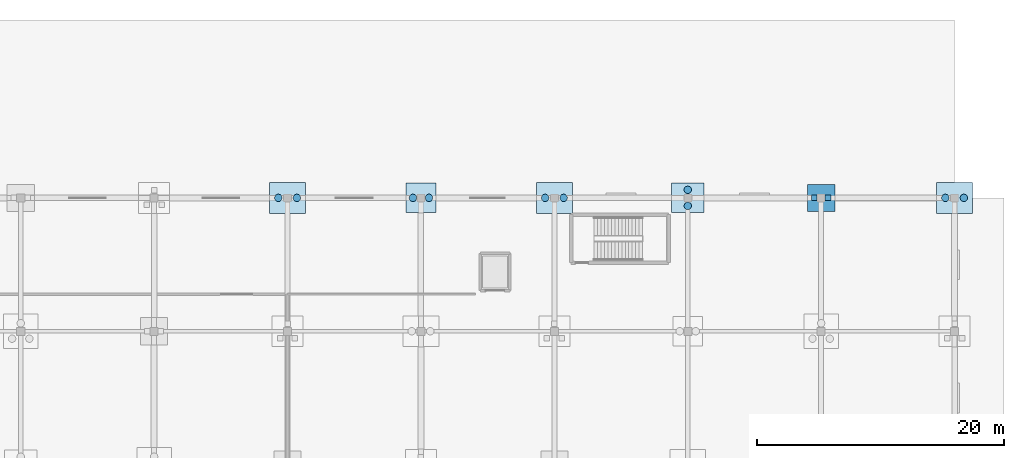
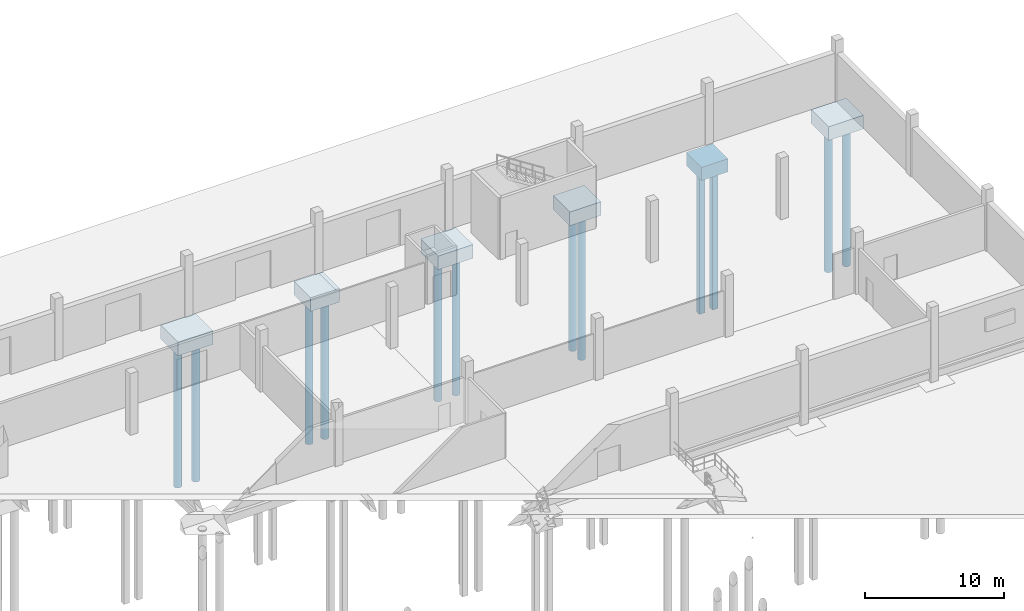
# One storey, part 7 of 138: 12 piles, 6 footings.
"""IFC4 building model written with IfcOpenShell, lengths in metres."""

from ifc_helpers import new_model, si_unit, direction, frame, origin, origin_2d, place, context, subcontext, project, spatial, rectangle, circle, extrude, material, material_profile, profile_set, type_object, element, save


model = new_model("IFC4")

# Units and contexts
model_context = context("Model", 3, precision=1e-05, world=origin(), true_north=direction((0.0, 1.0)))
body_context = subcontext(model_context, "Body", "Model", "MODEL_VIEW")
ifc_project = project(units=[si_unit("LENGTHUNIT", "METRE"), si_unit("AREAUNIT", "SQUARE_METRE"), si_unit("VOLUMEUNIT", "CUBIC_METRE"), si_unit("PLANEANGLEUNIT", "RADIAN"), si_unit("MASSUNIT", "GRAM", prefix="KILO")], contexts=[model_context])

# Site, building, storey
site_placement = place(None, origin())
site = spatial("IfcSite", under=ifc_project, at=site_placement, CompositionType="ELEMENT")
building_placement = place(site_placement, origin())
building = spatial("IfcBuilding", under=site, at=building_placement, Name="Zwinboog Wholesale Market", CompositionType="ELEMENT")
storey_placement = place(building_placement, origin())
storey = spatial("IfcBuildingStorey", under=building, at=storey_placement, Name="L00", CompositionType="ELEMENT", Elevation=0.0)

# Piles
ifc_material_1 = material(Name="Concrete C40/50", Category="concrete")
ifc_material_profile_1 = material_profile(ifc_material_1, circle(Radius=0.300048828125, at=origin_2d()), Name="PILE D600")
ifc_profile_set_1 = profile_set([ifc_material_profile_1], Name="Concrete C40/50")
pile_type_1 = type_object("IfcPileType", Name="PT-BORED-600", PredefinedType="BORED", material=ifc_profile_set_1)
for number, where, z_axis, x_axis, name in (
    (1, (161.25, 129.60009765625, -2.300048828125), (0.0, 0.0, -1.0), (1.0, 0.0, 0.0), "P-01 (PIL-0478)"),
    (2, (162.75, 129.60009765625, -2.300048828125), (0.0, 0.0, -1.0), (1.0, 0.0, 0.0), "P-01 (PIL-0479)"),
    (3, (172.14990234375, 129.60009765625, -2.300048828125), (0.0, 0.0, -1.0), (1.0, 0.0, 0.0), "P-01 (PIL-0508)"),
    (4, (173.449951171875, 129.60009765625, -2.300048828125), (0.0, 0.0, -1.0), (1.0, 0.0, 0.0), "P-01 (PIL-0509)"),
    (5, (182.85009765625, 129.60009765625, -2.300048828125), (0.0, 0.0, -1.0), (1.0, 0.0, 0.0), "P-01 (PIL-0553)"),
    (6, (184.35009765625, 129.60009765625, -2.300048828125), (0.0, 0.0, -1.0), (1.0, 0.0, 0.0), "P-01 (PIL-0554)"),
    (7, (194.39990234375, 128.949951171875, -2.300048828125), (0.0, 0.0, -1.0), (1.0, 0.0, 0.0), "P-01 (PIL-0571)"),
    (8, (194.39990234375, 130.25, -2.300048828125), (0.0, 0.0, -1.0), (1.0, 0.0, 0.0), "P-01 (PIL-0572)"),
    (9, (215.25, 129.60009765625, -2.300048828125), (0.0, 0.0, -1.0), (1.0, 0.0, 0.0), "P-01 (PIL-0609)"),
    (10, (216.75, 129.60009765625, -2.300048828125), (0.0, 0.0, -1.0), (1.0, 0.0, 0.0), "P-01 (PIL-0610)"),
):
    element("IfcPile", number, at=place(storey_placement, frame(where, z_axis=z_axis, x_axis=x_axis)), inside=storey, type_object=pile_type_1, Name=name, PredefinedType="BORED", context=body_context, shape_type="SweptSolid", body=[
        extrude(circle(Radius=0.300048828125, at=origin_2d()), origin(), (0.0, 0.0, 1.0), 12.5),
    ])
ifc_material_profile_2 = material_profile(ifc_material_1, rectangle(XDim=0.449951171875, YDim=0.449951171875, at=origin_2d()), Name="PILE SQ450")
ifc_profile_set_2 = profile_set([ifc_material_profile_2], Name="Concrete C40/50")
pile_type_2 = type_object("IfcPileType", Name="PT-DRIVEN-450", PredefinedType="DRIVEN", material=ifc_profile_set_2)
for number, where, z_axis, x_axis, name in (
    (11, (204.64990234375, 129.60009765625, -2.25), (0.0, 0.0, -1.0), (1.0, 0.0, 0.0), "P-02 (PIL-0590)"),
    (12, (205.75, 129.60009765625, -2.25), (0.0, 0.0, -1.0), (1.0, 0.0, 0.0), "P-02 (PIL-0591)"),
):
    element("IfcPile", number, at=place(storey_placement, frame(where, z_axis=z_axis, x_axis=x_axis)), inside=storey, type_object=pile_type_2, Name=name, PredefinedType="DRIVEN", context=body_context, shape_type="SweptSolid", body=[
        extrude(rectangle(XDim=0.449951171875, YDim=0.449951171875, at=origin_2d()), origin(), (0.0, 0.0, 1.0), 12.5),
    ])

# Footings
ifc_material_2 = material(Name="Concrete C35/45", Category="concrete")
footing_type_1 = type_object("IfcFootingType", Name="FT-PC-01", PredefinedType="PILE_CAP", material=ifc_material_2)
footing_1_placement = place(storey_placement, frame((172.800048828125, 129.60009765625, -2.39990234375), z_axis=(0.0, 0.0, 1.0), x_axis=(1.0, 0.0, 0.0)))
element("IfcFooting", 13, at=footing_1_placement, inside=storey, type_object=footing_type_1, Name="FC-01 (FND-PC-205)", PredefinedType="PILE_CAP", context=body_context, shape_type="SweptSolid", body=[
    extrude(rectangle(XDim=2.39990234375, YDim=2.39990234375, at=origin_2d()), origin(), (0.0, 0.0, 1.0), 1.199951171875),
])
footing_type_2 = type_object("IfcFootingType", Name="FT-PC-02", PredefinedType="PILE_CAP", material=ifc_material_2)
footing_2_placement = place(storey_placement, frame((194.39990234375, 129.60009765625, -2.39990234375), z_axis=(0.0, 0.0, 1.0), x_axis=(1.0, 0.0, 0.0)))
element("IfcFooting", 14, at=footing_2_placement, inside=storey, type_object=footing_type_2, Name="FC-02 (FND-PC-230)", PredefinedType="PILE_CAP", context=body_context, shape_type="SweptSolid", body=[
    extrude(rectangle(XDim=2.60009765625, YDim=2.39990234375, at=origin_2d()), origin(), (0.0, 0.0, 1.0), 1.199951171875),
])
footing_type_3 = type_object("IfcFootingType", Name="FT-PC-10", PredefinedType="PILE_CAP", material=ifc_material_2)
footing_3_placement = place(storey_placement, frame((205.199951171875, 129.60009765625, -2.349853515625), z_axis=(0.0, 0.0, 1.0), x_axis=(1.0, 0.0, 0.0)))
element("IfcFooting", 15, at=footing_3_placement, inside=storey, type_object=footing_type_3, Name="FC-10 (FND-PC-238)", PredefinedType="PILE_CAP", context=body_context, shape_type="SweptSolid", body=[
    extrude(rectangle(XDim=2.199951171875, YDim=2.199951171875, at=origin_2d()), origin(), (0.0, 0.0, 1.0), 1.14990234375),
])
footing_type_4 = type_object("IfcFootingType", Name="FT-PC-17", PredefinedType="PILE_CAP", material=ifc_material_2)
for number, where, z_axis, x_axis, name in (
    (16, (162.0, 129.60009765625, -2.39990234375), (0.0, 0.0, 1.0), (1.0, 0.0, 0.0), "FC-17 (FND-PC-192)"),
    (17, (183.60009765625, 129.60009765625, -2.39990234375), (0.0, 0.0, 1.0), (1.0, 0.0, 0.0), "FC-17 (FND-PC-222)"),
    (18, (216.0, 129.60009765625, -2.39990234375), (0.0, 0.0, 1.0), (1.0, 0.0, 0.0), "FC-17 (FND-PC-246)"),
):
    element("IfcFooting", number, at=place(storey_placement, frame(where, z_axis=z_axis, x_axis=x_axis)), inside=storey, type_object=footing_type_4, Name=name, PredefinedType="PILE_CAP", context=body_context, shape_type="SweptSolid", body=[
        extrude(rectangle(XDim=2.89990234375, YDim=2.5, at=origin_2d()), origin(), (0.0, 0.0, 1.0), 1.199951171875),
    ])

save(model, "model.ifc")
